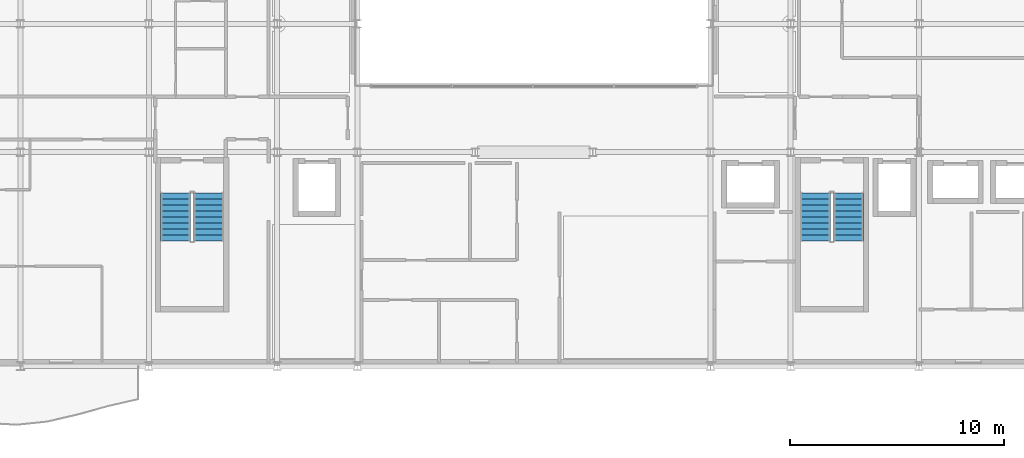
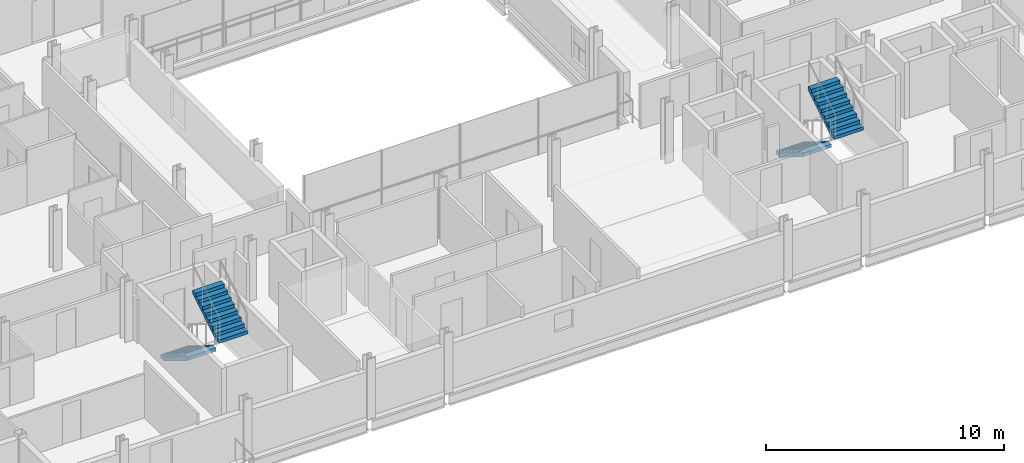
# One storey, part 38 of 41: 4 stair flights, 2 elements without a shape of their own.
"""IFC4 building model written with IfcOpenShell, lengths in metres."""

from ifc_helpers import new_model, si_unit, direction, frame, origin, place, context, subcontext, project, spatial, polyline, outline, extrude, material, layer, layer_set, type_object, element, aggregate, save


model = new_model("IFC4")

# Units and contexts
model_context = context("Model", 3, precision=1e-05, world=origin(), true_north=direction((0.0, 1.0)))
body_context = subcontext(model_context, "Body", "Model", "MODEL_VIEW")
ifc_project = project(units=[si_unit("LENGTHUNIT", "METRE"), si_unit("AREAUNIT", "SQUARE_METRE"), si_unit("VOLUMEUNIT", "CUBIC_METRE"), si_unit("PLANEANGLEUNIT", "RADIAN"), si_unit("MASSUNIT", "GRAM", prefix="KILO")], contexts=[model_context])

# Site, building, storey
site_placement = place(None, origin())
site = spatial("IfcSite", under=ifc_project, at=site_placement, CompositionType="ELEMENT")
building_placement = place(site_placement, origin())
building = spatial("IfcBuilding", under=site, at=building_placement, Name="Brevholm Reach", CompositionType="ELEMENT")
storey_placement = place(building_placement, frame((0.0, 0.0, 169.699951171875)))
storey = spatial("IfcBuildingStorey", under=building, at=storey_placement, Name="L51", CompositionType="ELEMENT", Elevation=169.699951171875)

# Stair, stair flights
ifc_material_1 = material(Name="Precast Concrete C40/50", Category="concrete")
stair_type = type_object("IfcStairType", Name="STR-ESC-1400", PredefinedType="DOUBLE_RETURN_STAIR", material=ifc_material_1)
stair_1_placement = place(storey_placement, origin())
stair_1 = element("IfcStair", 1, at=stair_1_placement, inside=storey, type_object=stair_type, Name="L51 ST-1", PredefinedType="DOUBLE_RETURN_STAIR")
ifc_material_2 = material(Name="Precast Concrete C40/50", Category="concrete")
ifc_layer = layer(ifc_material_2, 0.18505859375)
ifc_layer_set = layer_set([ifc_layer], Name="Precast Concrete C40/50")
stair_flight_type = type_object("IfcStairFlightType", Name="STF-PRC-185", PredefinedType="STRAIGHT", material=ifc_layer_set)
stair_flight_1_placement = place(storey_placement, frame((13.25, 8.10009765625, 0.0), z_axis=(0.0, 0.0, 1.0), x_axis=(0.0, -1.0, 0.0)))
stair_flight_1 = element("IfcStairFlight", 2, at=stair_flight_1_placement, type_object=stair_flight_type, Name="ST-1 flight 1", NumberOfRisers=9, NumberOfTreads=8, PredefinedType="STRAIGHT", RiserHeight=0.172222222, TreadLength=0.28, context=body_context, shape_type="SweptSolid", body=[
    extrude(outline(polyline([(0.0, 0.0), (0.0, 0.172119140625), (0.280029296875, 0.172119140625), (0.280029296875, 0.344482421875), (0.56005859375, 0.344482421875), (0.56005859375, 0.5166015625), (0.840087890625, 0.5166015625), (0.840087890625, 0.68896484375), (1.1201171875, 0.68896484375), (1.1201171875, 0.861083984375), (1.39990234375, 0.861083984375), (1.39990234375, 1.033447265625), (1.679931640625, 1.033447265625), (1.679931640625, 1.20556640625), (1.9599609375, 1.20556640625), (1.9599609375, 1.377685546875), (2.239990234375, 1.377685546875), (2.239990234375, 1.550048828125), (2.239990234375, 1.201904296875), (0.2861328125, 0.0), (0.0, 0.0)])), frame((0.0, 0.699951171875, 0.0), z_axis=(0.0, -1.0, 0.0), x_axis=(1.0, 0.0, 0.0)), (0.0, 0.0, 1.0), 1.39990234375),
])
stair_flight_2_placement = place(storey_placement, frame((14.800048828125, 5.860107421875, 1.550048828125), z_axis=(0.0, 0.0, 1.0), x_axis=(0.0, 1.0, 0.0)))
stair_flight_2 = element("IfcStairFlight", 3, at=stair_flight_2_placement, type_object=stair_flight_type, Name="ST-1 flight 2", NumberOfRisers=9, NumberOfTreads=8, PredefinedType="STRAIGHT", RiserHeight=0.172222222, TreadLength=0.28, context=body_context, shape_type="SweptSolid", body=[
    extrude(outline(polyline([(0.0, 0.0), (0.0, 0.172119140625), (0.280029296875, 0.172119140625), (0.280029296875, 0.344482421875), (0.56005859375, 0.344482421875), (0.56005859375, 0.5166015625), (0.840087890625, 0.5166015625), (0.840087890625, 0.68896484375), (1.1201171875, 0.68896484375), (1.1201171875, 0.861083984375), (1.39990234375, 0.861083984375), (1.39990234375, 1.033447265625), (1.679931640625, 1.033447265625), (1.679931640625, 1.20556640625), (1.9599609375, 1.20556640625), (1.9599609375, 1.377685546875), (2.239990234375, 1.377685546875), (2.239990234375, 1.550048828125), (2.239990234375, 1.201904296875), (0.2861328125, 0.0), (0.0, 0.0)])), frame((0.0, 0.699951171875, 0.0), z_axis=(0.0, -1.0, 0.0), x_axis=(1.0, 0.0, 0.0)), (0.0, 0.0, 1.0), 1.39990234375),
])
aggregate(stair_1, [stair_flight_1, stair_flight_2])

stair_2_placement = place(storey_placement, origin())
stair_2 = element("IfcStair", 4, at=stair_2_placement, inside=storey, type_object=stair_type, Name="L51 ST-2", PredefinedType="DOUBLE_RETURN_STAIR")
stair_flight_3_placement = place(storey_placement, frame((43.14990234375, 8.10009765625, 0.0), z_axis=(0.0, 0.0, 1.0), x_axis=(0.0, -1.0, 0.0)))
stair_flight_3 = element("IfcStairFlight", 5, at=stair_flight_3_placement, type_object=stair_flight_type, Name="ST-2 flight 1", NumberOfRisers=9, NumberOfTreads=8, PredefinedType="STRAIGHT", RiserHeight=0.172222222, TreadLength=0.28, context=body_context, shape_type="SweptSolid", body=[
    extrude(outline(polyline([(0.0, 0.0), (0.0, 0.172119140625), (0.280029296875, 0.172119140625), (0.280029296875, 0.344482421875), (0.56005859375, 0.344482421875), (0.56005859375, 0.5166015625), (0.840087890625, 0.5166015625), (0.840087890625, 0.68896484375), (1.1201171875, 0.68896484375), (1.1201171875, 0.861083984375), (1.39990234375, 0.861083984375), (1.39990234375, 1.033447265625), (1.679931640625, 1.033447265625), (1.679931640625, 1.20556640625), (1.9599609375, 1.20556640625), (1.9599609375, 1.377685546875), (2.239990234375, 1.377685546875), (2.239990234375, 1.550048828125), (2.239990234375, 1.201904296875), (0.2861328125, 0.0), (0.0, 0.0)])), frame((0.0, 0.699951171875, 0.0), z_axis=(0.0, -1.0, 0.0), x_axis=(1.0, 0.0, 0.0)), (0.0, 0.0, 1.0), 1.39990234375),
])
stair_flight_4_placement = place(storey_placement, frame((44.699951171875, 5.860107421875, 1.550048828125), z_axis=(0.0, 0.0, 1.0), x_axis=(0.0, 1.0, 0.0)))
stair_flight_4 = element("IfcStairFlight", 6, at=stair_flight_4_placement, type_object=stair_flight_type, Name="ST-2 flight 2", NumberOfRisers=9, NumberOfTreads=8, PredefinedType="STRAIGHT", RiserHeight=0.172222222, TreadLength=0.28, context=body_context, shape_type="SweptSolid", body=[
    extrude(outline(polyline([(0.0, 0.0), (0.0, 0.172119140625), (0.280029296875, 0.172119140625), (0.280029296875, 0.344482421875), (0.56005859375, 0.344482421875), (0.56005859375, 0.5166015625), (0.840087890625, 0.5166015625), (0.840087890625, 0.68896484375), (1.1201171875, 0.68896484375), (1.1201171875, 0.861083984375), (1.39990234375, 0.861083984375), (1.39990234375, 1.033447265625), (1.679931640625, 1.033447265625), (1.679931640625, 1.20556640625), (1.9599609375, 1.20556640625), (1.9599609375, 1.377685546875), (2.239990234375, 1.377685546875), (2.239990234375, 1.550048828125), (2.239990234375, 1.201904296875), (0.2861328125, 0.0), (0.0, 0.0)])), frame((0.0, 0.699951171875, 0.0), z_axis=(0.0, -1.0, 0.0), x_axis=(1.0, 0.0, 0.0)), (0.0, 0.0, 1.0), 1.39990234375),
])
aggregate(stair_2, [stair_flight_3, stair_flight_4])

save(model, "model.ifc")
